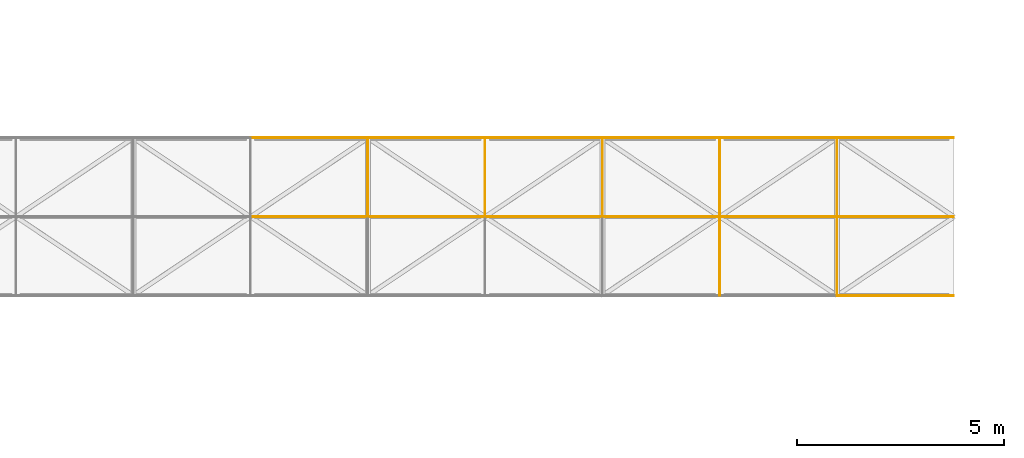
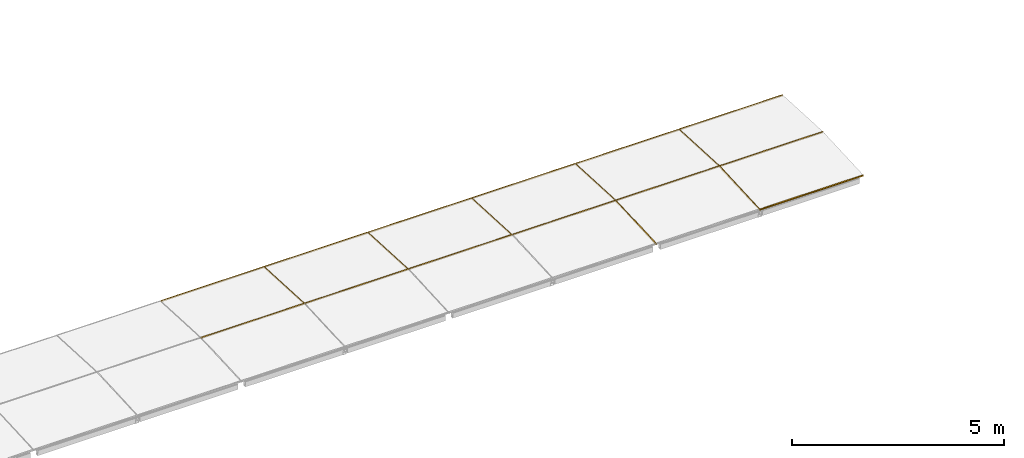
# One storey, part 58 of 61: 20 coverings.
"""IFC4 building model written with IfcOpenShell, lengths in metres."""

from ifc_helpers import new_model, si_unit, direction, frame, origin, origin_2d, place, context, subcontext, project, spatial, rectangle, extrude, material, material_profile, profile_set, type_object, element, save


model = new_model("IFC4")

# Units and contexts
model_context = context("Model", 3, precision=1e-05, world=origin(), true_north=direction((0.0, 1.0)))
body_context = subcontext(model_context, "Body", "Model", "MODEL_VIEW")
ifc_project = project(units=[si_unit("LENGTHUNIT", "METRE"), si_unit("AREAUNIT", "SQUARE_METRE"), si_unit("VOLUMEUNIT", "CUBIC_METRE"), si_unit("PLANEANGLEUNIT", "RADIAN"), si_unit("MASSUNIT", "GRAM", prefix="KILO")], contexts=[model_context])

# Site, building, storey
site_placement = place(None, origin())
site = spatial("IfcSite", under=ifc_project, at=site_placement, CompositionType="ELEMENT")
building_placement = place(site_placement, origin())
building = spatial("IfcBuilding", under=site, at=building_placement, Name="Lantern Court Research Institute", CompositionType="ELEMENT")
storey_placement = place(building_placement, frame((0.0, 0.0, 23.39990234375)))
storey = spatial("IfcBuildingStorey", under=building, at=storey_placement, Name="L05", CompositionType="ELEMENT", Elevation=23.39990234375)

# Coverings
ifc_material = material(Name="Aluminium alloy 6063-T6", Category="aluminium")
ifc_material_profile = material_profile(ifc_material, rectangle(XDim=0.01806640625, YDim=0.035888671875, at=origin_2d()), Name="Joint cover bar 18 x 36")
ifc_profile_set = profile_set([ifc_material_profile], Name="Aluminium alloy 6063-T6")
covering_type = type_object("IfcCoveringType", Name="Joint cover bar 18 x 36", PredefinedType="MOLDING", material=ifc_profile_set)
for number, where, z_axis, x_axis, name in (
    (1, (62.238525390625, 40.125, 0.218017578125), (1.0, 0.0, 0.0), (0.0, 1.0, 0.0), "Joint cover bar"),
    (2, (62.238525390625, 42.02685546875, 0.122314453125), (1.0, 0.0, 0.0), (0.0, 0.994933962664, -0.100530641789), "Joint cover bar"),
):
    element("IfcCovering", number, at=place(storey_placement, frame(where, z_axis=z_axis, x_axis=x_axis)), inside=storey, type_object=covering_type, Name=name, PredefinedType="MOLDING", context=body_context, shape_type="SweptSolid", body=[
        extrude(rectangle(XDim=0.01806640625, YDim=0.035888671875, at=origin_2d()), origin(), (0.0, 0.0, 1.0), 2.80859375),
    ])
covering_1_placement = place(storey_placement, frame((65.05712890625, 40.1259765625, 0.218017578125), z_axis=(0.0, 0.998733707136, -0.050308868311), x_axis=(-1.0, 0.0, 0.0)))
element("IfcCovering", 3, at=covering_1_placement, inside=storey, type_object=covering_type, Name="Joint cover bar", PredefinedType="MOLDING", context=body_context, shape_type="SweptSolid", body=[
    extrude(rectangle(XDim=0.01806640625, YDim=0.035888671875, at=origin_2d()), origin(), (0.0, 0.0, 1.0), 1.90234375),
])
for number, where, z_axis, x_axis, name in (
    (4, (65.067138671875, 40.125, 0.218017578125), (1.0, 0.0, 0.0), (0.0, 1.0, 0.0), "Joint cover bar"),
    (5, (65.067138671875, 42.02685546875, 0.122314453125), (1.0, 0.0, 0.0), (0.0, 0.994933962664, -0.100530641789), "Joint cover bar"),
):
    element("IfcCovering", number, at=place(storey_placement, frame(where, z_axis=z_axis, x_axis=x_axis)), inside=storey, type_object=covering_type, Name=name, PredefinedType="MOLDING", context=body_context, shape_type="SweptSolid", body=[
        extrude(rectangle(XDim=0.01806640625, YDim=0.035888671875, at=origin_2d()), origin(), (0.0, 0.0, 1.0), 2.80859375),
    ])
covering_2_placement = place(storey_placement, frame((67.8857421875, 40.1259765625, 0.218017578125), z_axis=(0.0, 0.998733707136, -0.050308868311), x_axis=(-1.0, 0.0, 0.0)))
element("IfcCovering", 6, at=covering_2_placement, inside=storey, type_object=covering_type, Name="Joint cover bar", PredefinedType="MOLDING", context=body_context, shape_type="SweptSolid", body=[
    extrude(rectangle(XDim=0.01806640625, YDim=0.035888671875, at=origin_2d()), origin(), (0.0, 0.0, 1.0), 1.90234375),
])
for number, where, z_axis, x_axis, name in (
    (7, (67.895751953125, 40.125, 0.218017578125), (1.0, 0.0, 0.0), (0.0, 1.0, 0.0), "Joint cover bar"),
    (8, (67.895751953125, 42.02685546875, 0.122314453125), (1.0, 0.0, 0.0), (0.0, 0.994933962664, -0.100530641789), "Joint cover bar"),
):
    element("IfcCovering", number, at=place(storey_placement, frame(where, z_axis=z_axis, x_axis=x_axis)), inside=storey, type_object=covering_type, Name=name, PredefinedType="MOLDING", context=body_context, shape_type="SweptSolid", body=[
        extrude(rectangle(XDim=0.01806640625, YDim=0.035888671875, at=origin_2d()), origin(), (0.0, 0.0, 1.0), 2.80859375),
    ])
covering_3_placement = place(storey_placement, frame((70.71435546875, 40.1259765625, 0.218017578125), z_axis=(0.0, 0.998733707136, -0.050308868311), x_axis=(-1.0, 0.0, 0.0)))
element("IfcCovering", 9, at=covering_3_placement, inside=storey, type_object=covering_type, Name="Joint cover bar", PredefinedType="MOLDING", context=body_context, shape_type="SweptSolid", body=[
    extrude(rectangle(XDim=0.01806640625, YDim=0.035888671875, at=origin_2d()), origin(), (0.0, 0.0, 1.0), 1.90234375),
])
for number, where, z_axis, x_axis, name in (
    (10, (70.724365234375, 40.125, 0.218017578125), (1.0, 0.0, 0.0), (0.0, 1.0, 0.0), "Joint cover bar"),
    (11, (70.724365234375, 42.02685546875, 0.122314453125), (1.0, 0.0, 0.0), (0.0, 0.994933962664, -0.100530641789), "Joint cover bar"),
):
    element("IfcCovering", number, at=place(storey_placement, frame(where, z_axis=z_axis, x_axis=x_axis)), inside=storey, type_object=covering_type, Name=name, PredefinedType="MOLDING", context=body_context, shape_type="SweptSolid", body=[
        extrude(rectangle(XDim=0.01806640625, YDim=0.035888671875, at=origin_2d()), origin(), (0.0, 0.0, 1.0), 2.80859375),
    ])
for number, where, z_axis, x_axis, name in (
    (12, (73.54296875, 38.22412109375, 0.122314453125), (0.0, 0.998733707136, 0.050308868311), (-1.0, 0.0, 0.0), "Joint cover bar"),
    (13, (73.54296875, 40.1259765625, 0.218017578125), (0.0, 0.998733707136, -0.050308868311), (-1.0, 0.0, 0.0), "Joint cover bar"),
):
    element("IfcCovering", number, at=place(storey_placement, frame(where, z_axis=z_axis, x_axis=x_axis)), inside=storey, type_object=covering_type, Name=name, PredefinedType="MOLDING", context=body_context, shape_type="SweptSolid", body=[
        extrude(rectangle(XDim=0.01806640625, YDim=0.035888671875, at=origin_2d()), origin(), (0.0, 0.0, 1.0), 1.90234375),
    ])
for number, where, z_axis, x_axis, name in (
    (14, (73.552978515625, 40.125, 0.218017578125), (1.0, 0.0, 0.0), (0.0, 1.0, 0.0), "Joint cover bar"),
    (15, (73.552978515625, 42.02685546875, 0.122314453125), (1.0, 0.0, 0.0), (0.0, 0.994933962664, -0.100530641789), "Joint cover bar"),
):
    element("IfcCovering", number, at=place(storey_placement, frame(where, z_axis=z_axis, x_axis=x_axis)), inside=storey, type_object=covering_type, Name=name, PredefinedType="MOLDING", context=body_context, shape_type="SweptSolid", body=[
        extrude(rectangle(XDim=0.01806640625, YDim=0.035888671875, at=origin_2d()), origin(), (0.0, 0.0, 1.0), 2.808349609375),
    ])
covering_4_placement = place(storey_placement, frame((76.371337890625, 38.22412109375, 0.122314453125), z_axis=(0.0, 0.998733707136, 0.050308868311), x_axis=(-1.0, 0.0, 0.0)))
element("IfcCovering", 16, at=covering_4_placement, inside=storey, type_object=covering_type, Name="Joint cover bar", PredefinedType="MOLDING", context=body_context, shape_type="SweptSolid", body=[
    extrude(rectangle(XDim=0.01806640625, YDim=0.035888671875, at=origin_2d()), origin(), (0.0, 0.0, 1.0), 1.90234375),
])
covering_5_placement = place(storey_placement, frame((76.38134765625, 38.22314453125, 0.122314453125), z_axis=(1.0, 0.0, 0.0), x_axis=(0.0, 0.994933962664, 0.100530641789)))
element("IfcCovering", 17, at=covering_5_placement, inside=storey, type_object=covering_type, Name="Joint cover bar", PredefinedType="MOLDING", context=body_context, shape_type="SweptSolid", body=[
    extrude(rectangle(XDim=0.01806640625, YDim=0.035888671875, at=origin_2d()), origin(), (0.0, 0.0, 1.0), 2.80859375),
])
covering_6_placement = place(storey_placement, frame((76.371337890625, 40.1259765625, 0.218017578125), z_axis=(0.0, 0.998733707136, -0.050308868311), x_axis=(-1.0, 0.0, 0.0)))
element("IfcCovering", 18, at=covering_6_placement, inside=storey, type_object=covering_type, Name="Joint cover bar", PredefinedType="MOLDING", context=body_context, shape_type="SweptSolid", body=[
    extrude(rectangle(XDim=0.01806640625, YDim=0.035888671875, at=origin_2d()), origin(), (0.0, 0.0, 1.0), 1.90234375),
])
for number, where, z_axis, x_axis, name in (
    (19, (76.38134765625, 40.125, 0.218017578125), (1.0, 0.0, 0.0), (0.0, 1.0, 0.0), "Joint cover bar"),
    (20, (76.38134765625, 42.02685546875, 0.122314453125), (1.0, 0.0, 0.0), (0.0, 0.994933962664, -0.100530641789), "Joint cover bar"),
):
    element("IfcCovering", number, at=place(storey_placement, frame(where, z_axis=z_axis, x_axis=x_axis)), inside=storey, type_object=covering_type, Name=name, PredefinedType="MOLDING", context=body_context, shape_type="SweptSolid", body=[
        extrude(rectangle(XDim=0.01806640625, YDim=0.035888671875, at=origin_2d()), origin(), (0.0, 0.0, 1.0), 2.80859375),
    ])

save(model, "model.ifc")
